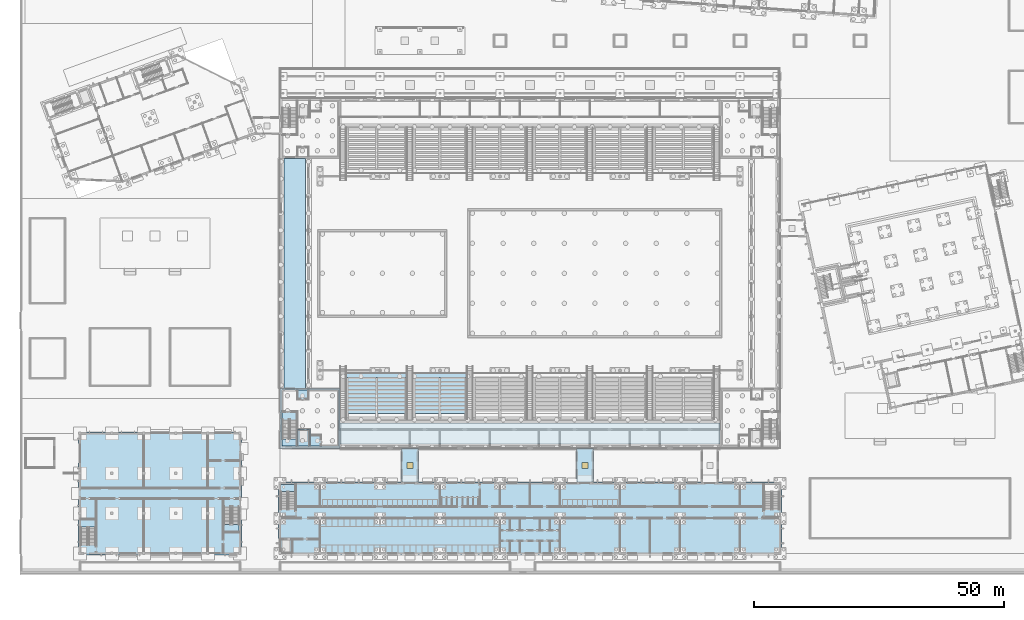
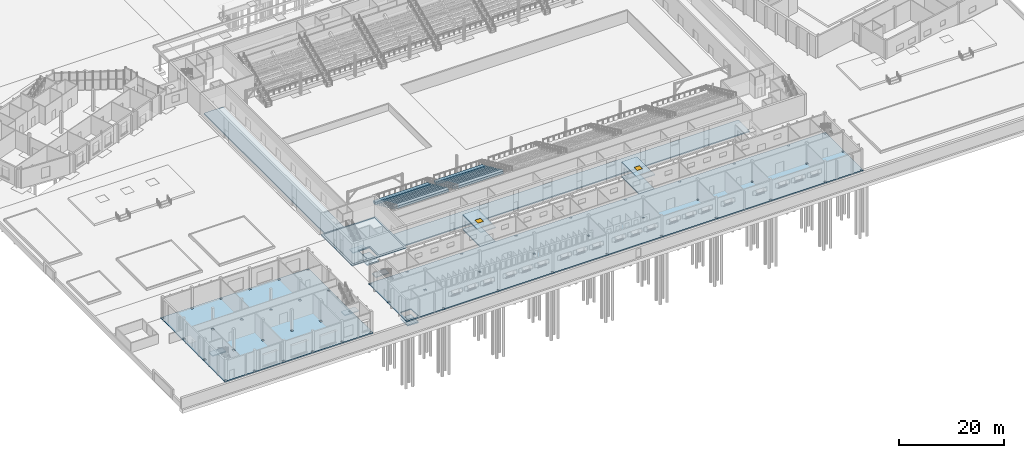
# One storey, part 64 of 157: 36 slabs, 2 windows, 2 openings, 4 elements without a shape of their own.
"""IFC4 building model written with IfcOpenShell, lengths in metres."""

import ifcopenshell
import ifcopenshell.guid

model = None  # the IFC model being written
_history = None  # IfcOwnerHistory: only IFC2X3 demands one
_inside = {}  # id of a spatial element -> (the spatial element, [elements in it])
_under = {}  # id of a project, library or spatial element -> (it, [spatial elements below it])
_declared = {}  # id of a project -> (the project, [libraries it declares])
_typed = {}  # id of a type object -> (the type object, [elements of that type])
_made_of = {}  # id of a material, layer set ... -> (it, [elements and type objects made of it])


def new_model(schema):
    """Start an empty IFC model of exactly this schema.

    Asked for "IFC4X3", IfcOpenShell would pick the latest addendum, in which some entities
    have other attributes; the version numbers below select the first issue.
    IFC2X3 requires an IfcOwnerHistory on every rooted entity: one is made here for all.
    """
    global model, _history
    if schema == "IFC4X3":
        model = ifcopenshell.file(schema_version=(4, 3, 0, 0))
    else:
        model = ifcopenshell.file(schema=schema)
    _inside.clear()
    _under.clear()
    _declared.clear()
    _typed.clear()
    _made_of.clear()
    _history = None
    if model.schema == "IFC2X3":
        org = make("IfcOrganization", Name="unknown")
        user = make(
            "IfcPersonAndOrganization",
            ThePerson=make("IfcPerson", FamilyName="unknown"),
            TheOrganization=org,
        )
        app = make(
            "IfcApplication",
            ApplicationDeveloper=org,
            Version="unknown",
            ApplicationFullName="unknown",
            ApplicationIdentifier="unknown",
        )
        _history = make(
            "IfcOwnerHistory",
            OwningUser=user,
            OwningApplication=app,
            ChangeAction="ADDED",
            CreationDate=0,
        )
    return model


def make(cls, **values):
    """One entity of the class cls with the attributes given. An attribute that is None is left unset."""
    return model.create_entity(
        cls, **{name: value for name, value in values.items() if value is not None}
    )


def rooted(cls, **values):
    """An entity with a GlobalId (a new one), such as an element, a storey or a relation."""
    return make(cls, GlobalId=ifcopenshell.guid.new(), OwnerHistory=_history, **values)


def si_unit(unit_type, name, prefix=None):
    """IfcSIUnit, for example si_unit("LENGTHUNIT", "METRE", prefix="MILLI")."""
    return make("IfcSIUnit", UnitType=unit_type, Prefix=prefix, Name=name)


def assignment(units):
    """IfcUnitAssignment: the units of a project."""
    return None if units is None else make("IfcUnitAssignment", Units=units)


def point(xyz):
    """IfcCartesianPoint."""
    return None if xyz is None else make("IfcCartesianPoint", Coordinates=xyz)


def direction(xyz):
    """IfcDirection."""
    return None if xyz is None else make("IfcDirection", DirectionRatios=xyz)


def frame(location, z_axis=None, x_axis=None):
    """IfcAxis2Placement3D, a coordinate frame: its origin and axes. An axis left out is left unset."""
    return make(
        "IfcAxis2Placement3D",
        Location=point(location),
        Axis=direction(z_axis),
        RefDirection=direction(x_axis),
    )


def frame_2d(location, x_axis=None):
    """IfcAxis2Placement2D, a coordinate frame in the plane: its origin and x axis."""
    return make(
        "IfcAxis2Placement2D", Location=point(location), RefDirection=direction(x_axis)
    )


def origin():
    """The frame at (0, 0, 0) with its axes left unset."""
    return frame((0.0, 0.0, 0.0))


def origin_2d():
    """The frame at (0, 0) in the plane with its x axis left unset."""
    return frame_2d((0.0, 0.0))


def place(relative_to, where):
    """IfcLocalPlacement: puts the frame where relative to a parent placement (None: the world)."""
    return make(
        "IfcLocalPlacement", PlacementRelTo=relative_to, RelativePlacement=where
    )


def context(
    kind, dimensions, precision=None, world=None, true_north=None, identifier=None
):
    """IfcGeometricRepresentationContext, for example the 3D "Model" context."""
    return make(
        "IfcGeometricRepresentationContext",
        ContextIdentifier=identifier,
        ContextType=kind,
        CoordinateSpaceDimension=dimensions,
        Precision=precision,
        WorldCoordinateSystem=world,
        TrueNorth=true_north,
    )


def subcontext(parent, identifier, kind, view, scale=None):
    """IfcGeometricRepresentationSubContext, for example "Body" below "Model"."""
    return make(
        "IfcGeometricRepresentationSubContext",
        ContextIdentifier=identifier,
        ContextType=kind,
        ParentContext=parent,
        TargetScale=scale,
        TargetView=view,
    )


def project(units=None, contexts=None):
    """IfcProject with its units and contexts."""
    return rooted(
        "IfcProject",
        Name="project",
        RepresentationContexts=contexts,
        UnitsInContext=assignment(units),
    )


def spatial(cls, under=None, at=None, **own):
    """A site, building, storey or space (cls), placed at a placement, below another one or the project."""
    s = rooted(cls, ObjectPlacement=at, **own)
    if under is not None:
        _under.setdefault(under.id(), (under, []))[1].append(s)
    return s


def polyline(points):
    """IfcPolyline through the points."""
    return make("IfcPolyline", Points=[point(p) for p in points])


def profile(cls, at=None, kind="AREA", **sizes):
    """A parametric profile (cls). Its sizes go by their IFC names, for example OverallWidth=200.0."""
    return make(cls, ProfileType=kind, Position=at, **sizes)


def rectangle(**sizes):
    """IfcRectangleProfileDef."""
    return profile("IfcRectangleProfileDef", **sizes)


def outline(outer, holes=None, kind="AREA"):
    """IfcArbitraryClosedProfileDef: a profile drawn as a closed curve; with holes, ...WithVoids."""
    if holes is None:
        return make("IfcArbitraryClosedProfileDef", ProfileType=kind, OuterCurve=outer)
    return make(
        "IfcArbitraryProfileDefWithVoids",
        ProfileType=kind,
        OuterCurve=outer,
        InnerCurves=holes,
    )


def extrude(swept, where, along, depth):
    """IfcExtrudedAreaSolid: the profile swept, set in the frame where, extruded along a direction by depth."""
    return make(
        "IfcExtrudedAreaSolid",
        SweptArea=swept,
        Position=where,
        ExtrudedDirection=direction(along),
        Depth=depth,
    )


def shape(context_of_items, identifier, shape_type, items):
    """IfcShapeRepresentation: the items that make up one representation, for example the "Body"."""
    return make(
        "IfcShapeRepresentation",
        ContextOfItems=context_of_items,
        RepresentationIdentifier=identifier,
        RepresentationType=shape_type,
        Items=items,
    )


def material(Name=None, Category=None):
    """IfcMaterial."""
    return make("IfcMaterial", Name=Name, Category=Category)


def layer(
    of_material, thickness, ventilated=None, Name=None, Category=None, Priority=None
):
    """IfcMaterialLayer: one layer of a wall or slab, of a material (None: an air gap)."""
    return make(
        "IfcMaterialLayer",
        Material=of_material,
        LayerThickness=thickness,
        IsVentilated=ventilated,
        Name=Name,
        Category=Category,
        Priority=Priority,
    )


def layer_set(layers, Name=None):
    """IfcMaterialLayerSet."""
    return make("IfcMaterialLayerSet", MaterialLayers=layers, LayerSetName=Name)


def made_of(thing, what):
    """Note that an element or type object is made of a material, layer set ...; save() writes the relation."""
    if what is not None:
        _made_of.setdefault(what.id(), (what, []))[1].append(thing)
    return thing


def type_object(cls, material=None, **own):
    """A type object (cls), such as IfcWallType, which elements share."""
    return made_of(rooted(cls, **own), material)


def element(
    cls,
    number,
    at=None,
    inside=None,
    cuts=None,
    type_object=None,
    material=None,
    context=None,
    identifier="Body",
    shape_type=None,
    held_by="IfcProductDefinitionShape",
    body=None,
    shapes=None,
    **own,
):
    """One element of the class cls, such as IfcWall. Its Tag is "e" and its number.

    at: its placement. inside: the storey or other place that contains it. cuts: it is an
    opening in that element (IfcRelVoidsElement). A single representation is given by context,
    identifier, shape_type and body (its items); several are given by shapes. held_by: the class
    of the entity that holds the representations. save() writes the other relations.
    """
    e = rooted(cls, Tag="e%d" % number, ObjectPlacement=at, **own)
    if body is not None:
        shapes = [shape(context, identifier, shape_type, body)]
    if shapes is not None:
        e.Representation = make(held_by, Representations=shapes)
    if inside is not None:
        _inside.setdefault(inside.id(), (inside, []))[1].append(e)
    if cuts is not None:
        rooted(
            "IfcRelVoidsElement", RelatingBuildingElement=cuts, RelatedOpeningElement=e
        )
    if type_object is not None:
        _typed.setdefault(type_object.id(), (type_object, []))[1].append(e)
    return made_of(e, material)


def fill(opening, filler):
    """IfcRelFillsElement: the door or window that sits in an opening."""
    return rooted(
        "IfcRelFillsElement",
        RelatingOpeningElement=opening,
        RelatedBuildingElement=filler,
    )


def aggregate(whole, parts):
    """IfcRelAggregates: a whole, such as a stair, and the parts it consists of."""
    return rooted("IfcRelAggregates", RelatingObject=whole, RelatedObjects=parts)


def save(model, path):
    """Write the relations noted so far, then the file.

    IfcRelAggregates (storeys below a building ...), IfcRelContainedInSpatialStructure (elements
    in a storey), IfcRelDefinesByType, IfcRelAssociatesMaterial and IfcRelDeclares: one each for
    every whole, place, type object, material and project.
    """
    for whole, parts in _under.values():
        aggregate(whole, parts)
    for where, things in _inside.values():
        rooted(
            "IfcRelContainedInSpatialStructure",
            RelatedElements=things,
            RelatingStructure=where,
        )
    for kind, things in _typed.values():
        rooted("IfcRelDefinesByType", RelatedObjects=things, RelatingType=kind)
    for what, things in _made_of.values():
        rooted("IfcRelAssociatesMaterial", RelatedObjects=things, RelatingMaterial=what)
    for by, libraries in _declared.values():
        rooted("IfcRelDeclares", RelatingContext=by, RelatedDefinitions=libraries)
    model.write(path)


model = new_model("IFC4")

# Units and contexts
model_context = context("Model", 3, precision=1e-05, world=origin(), true_north=direction((0.0, 1.0)))
body_context = subcontext(model_context, "Body", "Model", "MODEL_VIEW")
ifc_project = project(units=[si_unit("LENGTHUNIT", "METRE"), si_unit("AREAUNIT", "SQUARE_METRE"), si_unit("VOLUMEUNIT", "CUBIC_METRE"), si_unit("PLANEANGLEUNIT", "RADIAN"), si_unit("MASSUNIT", "GRAM", prefix="KILO")], contexts=[model_context])

# Site, building, storey
site_placement = place(None, origin())
site = spatial("IfcSite", under=ifc_project, at=site_placement, CompositionType="ELEMENT")
building_placement = place(site_placement, origin())
building = spatial("IfcBuilding", under=site, at=building_placement, Name="Windward Yard Aquatics Centre", CompositionType="ELEMENT")
storey_placement = place(building_placement, origin())
storey = spatial("IfcBuildingStorey", under=building, at=storey_placement, Name="L00", CompositionType="ELEMENT", Elevation=0.0)

# Stair, slab
ifc_material_1 = material(Name="Concrete C35/45", Category="concrete")
stair_type_1 = type_object("IfcStairType", Name="C Village stair 1 dog-leg stair", PredefinedType="HALF_TURN_STAIR", material=ifc_material_1)
stair_1_placement = place(storey_placement, origin())
stair_1 = element("IfcStair", 1, at=stair_1_placement, inside=storey, type_object=stair_type_1, Name="L00 Village stair 1", PredefinedType="HALF_TURN_STAIR")
ifc_layer_1 = layer(ifc_material_1, 0.199951171875)
ifc_layer_set_1 = layer_set([ifc_layer_1], Name="C Village stair 1 stair landing 200")
slab_type_1 = type_object("IfcSlabType", Name="C Village stair 1 stair landing 200", PredefinedType="LANDING", material=ifc_layer_set_1)
slab_1_placement = place(storey_placement, frame((0.0, 0.0, 2.300048828125)))
slab_1 = element("IfcSlab", 2, at=slab_1_placement, type_object=slab_type_1, Name="C-ST1 landing 1", PredefinedType="LANDING", context=body_context, shape_type="SweptSolid", body=[
    extrude(outline(polyline([(52.14990234375, 17.330078125), (55.10009765625, 17.330078125), (55.10009765625, 18.800048828125), (52.14990234375, 18.800048828125), (52.14990234375, 17.330078125)])), origin(), (0.0, 0.0, 1.0), 0.199951171875),
])
aggregate(stair_1, [slab_1])

# Slabs
ifc_layer_2 = layer(ifc_material_1, 0.25)
ifc_layer_set_2 = layer_set([ifc_layer_2], Name="C ground slab 250")
slab_type_2 = type_object("IfcSlabType", Name="C ground slab 250", PredefinedType="BASESLAB", material=ifc_layer_set_2)
slab_2_placement = place(storey_placement, frame((0.0, 0.0, -0.25)))
element("IfcSlab", 3, at=slab_2_placement, inside=storey, type_object=slab_type_2, Name="C.S.GROUND", PredefinedType="BASESLAB", context=body_context, shape_type="SweptSolid", body=[
    extrude(outline(polyline([(51.72509765625, 4.72509765625), (152.27490234375, 4.72509765625), (152.27490234375, 19.27490234375), (51.72509765625, 19.27490234375), (51.72509765625, 4.72509765625)]), holes=[polyline([(51.77490234375, 4.77490234375), (51.77490234375, 5.22509765625), (52.14990234375, 5.22509765625), (52.14990234375, 7.949951171875), (54.550048828125, 7.949951171875), (54.550048828125, 5.14990234375), (52.22509765625, 5.14990234375), (52.22509765625, 4.77490234375), (51.77490234375, 4.77490234375)]), polyline([(59.77490234375, 4.77490234375), (59.77490234375, 5.22509765625), (60.22509765625, 5.22509765625), (60.22509765625, 4.77490234375), (59.77490234375, 4.77490234375)]), polyline([(71.77490234375, 4.77490234375), (71.77490234375, 5.22509765625), (72.22509765625, 5.22509765625), (72.22509765625, 4.77490234375), (71.77490234375, 4.77490234375)]), polyline([(83.77490234375, 4.77490234375), (83.77490234375, 5.22509765625), (84.22509765625, 5.22509765625), (84.22509765625, 4.77490234375), (83.77490234375, 4.77490234375)]), polyline([(95.77490234375, 4.77490234375), (95.77490234375, 5.22509765625), (96.22509765625, 5.22509765625), (96.22509765625, 4.77490234375), (95.77490234375, 4.77490234375)]), polyline([(51.77490234375, 11.77490234375), (51.77490234375, 12.22509765625), (52.22509765625, 12.22509765625), (52.22509765625, 11.77490234375), (51.77490234375, 11.77490234375)]), polyline([(59.77490234375, 11.77490234375), (59.77490234375, 12.22509765625), (60.22509765625, 12.22509765625), (60.22509765625, 11.77490234375), (59.77490234375, 11.77490234375)]), polyline([(71.77490234375, 11.77490234375), (71.77490234375, 12.22509765625), (72.22509765625, 12.22509765625), (72.22509765625, 11.77490234375), (71.77490234375, 11.77490234375)]), polyline([(83.77490234375, 11.77490234375), (83.77490234375, 12.22509765625), (84.22509765625, 12.22509765625), (84.22509765625, 11.77490234375), (83.77490234375, 11.77490234375)]), polyline([(95.77490234375, 11.77490234375), (95.77490234375, 12.22509765625), (96.22509765625, 12.22509765625), (96.22509765625, 11.77490234375), (95.77490234375, 11.77490234375)]), polyline([(51.77490234375, 18.77490234375), (51.77490234375, 19.22509765625), (52.22509765625, 19.22509765625), (52.22509765625, 18.77490234375), (51.77490234375, 18.77490234375)]), polyline([(59.77490234375, 18.77490234375), (59.77490234375, 19.22509765625), (60.22509765625, 19.22509765625), (60.22509765625, 18.77490234375), (59.77490234375, 18.77490234375)]), polyline([(71.77490234375, 18.77490234375), (71.77490234375, 19.22509765625), (72.22509765625, 19.22509765625), (72.22509765625, 18.77490234375), (71.77490234375, 18.77490234375)]), polyline([(83.77490234375, 18.77490234375), (83.77490234375, 19.22509765625), (84.22509765625, 19.22509765625), (84.22509765625, 18.77490234375), (83.77490234375, 18.77490234375)]), polyline([(95.77490234375, 18.77490234375), (95.77490234375, 19.22509765625), (96.22509765625, 19.22509765625), (96.22509765625, 18.77490234375), (95.77490234375, 18.77490234375)]), polyline([(107.77490234375, 4.77490234375), (107.77490234375, 5.22509765625), (108.22509765625, 5.22509765625), (108.22509765625, 4.77490234375), (107.77490234375, 4.77490234375)]), polyline([(119.77490234375, 4.77490234375), (119.77490234375, 5.22509765625), (120.22509765625, 5.22509765625), (120.22509765625, 4.77490234375), (119.77490234375, 4.77490234375)]), polyline([(131.77490234375, 4.77490234375), (131.77490234375, 5.22509765625), (132.22509765625, 5.22509765625), (132.22509765625, 4.77490234375), (131.77490234375, 4.77490234375)]), polyline([(143.77490234375, 4.77490234375), (143.77490234375, 5.22509765625), (144.22509765625, 5.22509765625), (144.22509765625, 4.77490234375), (143.77490234375, 4.77490234375)]), polyline([(151.77490234375, 4.77490234375), (151.77490234375, 5.22509765625), (152.22509765625, 5.22509765625), (152.22509765625, 4.77490234375), (151.77490234375, 4.77490234375)]), polyline([(107.77490234375, 11.77490234375), (107.77490234375, 12.22509765625), (108.22509765625, 12.22509765625), (108.22509765625, 11.77490234375), (107.77490234375, 11.77490234375)]), polyline([(119.77490234375, 11.77490234375), (119.77490234375, 12.22509765625), (120.22509765625, 12.22509765625), (120.22509765625, 11.77490234375), (119.77490234375, 11.77490234375)]), polyline([(131.77490234375, 11.77490234375), (131.77490234375, 12.22509765625), (132.22509765625, 12.22509765625), (132.22509765625, 11.77490234375), (131.77490234375, 11.77490234375)]), polyline([(143.77490234375, 11.77490234375), (143.77490234375, 12.22509765625), (144.22509765625, 12.22509765625), (144.22509765625, 11.77490234375), (143.77490234375, 11.77490234375)]), polyline([(151.77490234375, 11.77490234375), (151.77490234375, 12.22509765625), (152.22509765625, 12.22509765625), (152.22509765625, 11.77490234375), (151.77490234375, 11.77490234375)]), polyline([(107.77490234375, 18.77490234375), (107.77490234375, 19.22509765625), (108.22509765625, 19.22509765625), (108.22509765625, 18.77490234375), (107.77490234375, 18.77490234375)]), polyline([(119.77490234375, 18.77490234375), (119.77490234375, 19.22509765625), (120.22509765625, 19.22509765625), (120.22509765625, 18.77490234375), (119.77490234375, 18.77490234375)]), polyline([(131.77490234375, 18.77490234375), (131.77490234375, 19.22509765625), (132.22509765625, 19.22509765625), (132.22509765625, 18.77490234375), (131.77490234375, 18.77490234375)]), polyline([(143.77490234375, 18.77490234375), (143.77490234375, 19.22509765625), (144.22509765625, 19.22509765625), (144.22509765625, 18.77490234375), (143.77490234375, 18.77490234375)]), polyline([(151.77490234375, 18.77490234375), (151.77490234375, 19.22509765625), (152.22509765625, 19.22509765625), (152.22509765625, 18.77490234375), (151.77490234375, 18.77490234375)])]), origin(), (0.0, 0.0, 1.0), 0.25),
])
ifc_layer_3 = layer(ifc_material_1, 0.300048828125)
ifc_layer_set_3 = layer_set([ifc_layer_3], Name="C lift pit floor 300")
slab_type_3 = type_object("IfcSlabType", Name="C lift pit floor 300", PredefinedType="BASESLAB", material=ifc_layer_set_3)
slab_3_placement = place(storey_placement, frame((0.0, 0.0, -1.60009765625)))
element("IfcSlab", 4, at=slab_3_placement, inside=storey, type_object=slab_type_3, Name="C.S.PIT", PredefinedType="BASESLAB", context=body_context, shape_type="SweptSolid", body=[
    extrude(outline(polyline([(52.14990234375, 5.14990234375), (54.550048828125, 5.14990234375), (54.550048828125, 7.949951171875), (52.14990234375, 7.949951171875), (52.14990234375, 5.14990234375)])), origin(), (0.0, 0.0, 1.0), 0.300048828125),
])
ifc_layer_4 = layer(ifc_material_1, 0.25)
ifc_layer_set_4 = layer_set([ifc_layer_4], Name="C link ground slab 250")
slab_type_4 = type_object("IfcSlabType", Name="C link ground slab 250", PredefinedType="BASESLAB", material=ifc_layer_set_4)
slab_4_placement = place(storey_placement, frame((0.0, 0.0, -0.25)))
element("IfcSlab", 5, at=slab_4_placement, inside=storey, type_object=slab_type_4, Name="Covered changing village link 1 floor", PredefinedType="BASESLAB", context=body_context, shape_type="SweptSolid", body=[
    extrude(outline(polyline([(76.300048828125, 19.27490234375), (76.300048828125, 26.0), (79.699951171875, 26.0), (79.699951171875, 19.27490234375), (76.300048828125, 19.27490234375)])), origin(), (0.0, 0.0, 1.0), 0.25),
])
slab_5_placement = place(storey_placement, frame((0.0, 0.0, -0.25)))
element("IfcSlab", 6, at=slab_5_placement, inside=storey, type_object=slab_type_4, Name="Covered changing village link 2 floor", PredefinedType="BASESLAB", context=body_context, shape_type="SweptSolid", body=[
    extrude(outline(polyline([(111.300048828125, 19.27490234375), (111.300048828125, 26.0), (114.699951171875, 26.0), (114.699951171875, 19.27490234375), (111.300048828125, 19.27490234375)])), origin(), (0.0, 0.0, 1.0), 0.25),
])

# Slab, opening, window
ifc_layer_5 = layer(ifc_material_1, 0.199951171875)
ifc_layer_set_5 = layer_set([ifc_layer_5], Name="C link roof slab 200")
slab_type_5 = type_object("IfcSlabType", Name="C link roof slab 200", PredefinedType="ROOF", material=ifc_layer_set_5)
slab_6_placement = place(storey_placement, frame((0.0, 0.0, 3.199951171875)))
slab_6 = element("IfcSlab", 7, at=slab_6_placement, inside=storey, type_object=slab_type_5, Name="Covered changing village link 1 roof", PredefinedType="ROOF", context=body_context, shape_type="SweptSolid", body=[
    extrude(outline(polyline([(76.300048828125, 19.14990234375), (76.300048828125, 26.0), (79.699951171875, 26.0), (79.699951171875, 19.14990234375), (76.300048828125, 19.14990234375)])), origin(), (0.0, 0.0, 1.0), 0.199951171875),
])
opening_1_placement = place(slab_6_placement, frame((78.0, 22.574951171875, 0.0)))
opening_1 = element("IfcOpeningElement", 8, at=opening_1_placement, cuts=slab_6, Name="Opening CSK01", PredefinedType="OPENING", context=body_context, shape_type="SweptSolid", body=[
    extrude(rectangle(XDim=1.199951171875, YDim=1.199951171875, at=origin_2d()), origin(), (0.0, 0.0, 1.0), 0.199951171875),
])
ifc_material_2 = material(Name="Aluminium framed laminated glazing", Category="aluminium")
window_type = type_object("IfcWindowType", Name="C skylight 1200X1200", PartitioningType="SINGLE_PANEL", PredefinedType="SKYLIGHT", material=ifc_material_2)
window_1_placement = place(opening_1_placement, frame((0.0, 0.0, 0.14990234375)))
window_1 = element("IfcWindow", 9, at=window_1_placement, inside=storey, type_object=window_type, Name="Roof light 1 of the covered changing village link 1", OverallHeight=1.199951171875, OverallWidth=1.199951171875, PartitioningType="SINGLE_PANEL", PredefinedType="SKYLIGHT", context=body_context, shape_type="SweptSolid", body=[
    extrude(rectangle(XDim=1.199951171875, YDim=1.199951171875, at=origin_2d()), origin(), (0.0, 0.0, 1.0), 0.050048828125),
])
fill(opening_1, window_1)

slab_7_placement = place(storey_placement, frame((0.0, 0.0, 3.199951171875)))
slab_7 = element("IfcSlab", 10, at=slab_7_placement, inside=storey, type_object=slab_type_5, Name="Covered changing village link 2 roof", PredefinedType="ROOF", context=body_context, shape_type="SweptSolid", body=[
    extrude(outline(polyline([(111.300048828125, 19.14990234375), (111.300048828125, 26.0), (114.699951171875, 26.0), (114.699951171875, 19.14990234375), (111.300048828125, 19.14990234375)])), origin(), (0.0, 0.0, 1.0), 0.199951171875),
])
opening_2_placement = place(slab_7_placement, frame((113.0, 22.574951171875, 0.0)))
opening_2 = element("IfcOpeningElement", 11, at=opening_2_placement, cuts=slab_7, Name="Opening CSK02", PredefinedType="OPENING", context=body_context, shape_type="SweptSolid", body=[
    extrude(rectangle(XDim=1.199951171875, YDim=1.199951171875, at=origin_2d()), origin(), (0.0, 0.0, 1.0), 0.199951171875),
])
window_2_placement = place(opening_2_placement, frame((0.0, 0.0, 0.14990234375)))
window_2 = element("IfcWindow", 12, at=window_2_placement, inside=storey, type_object=window_type, Name="Roof light 1 of the covered changing village link 2", OverallHeight=1.199951171875, OverallWidth=1.199951171875, PartitioningType="SINGLE_PANEL", PredefinedType="SKYLIGHT", context=body_context, shape_type="SweptSolid", body=[
    extrude(rectangle(XDim=1.199951171875, YDim=1.199951171875, at=origin_2d()), origin(), (0.0, 0.0, 1.0), 0.050048828125),
])
fill(opening_2, window_2)

# Slabs
ifc_layer_6 = layer(ifc_material_1, 0.25)
ifc_layer_set_6 = layer_set([ifc_layer_6], Name="H Core Ground Slab Concrete C35/45 250")
slab_type_6 = type_object("IfcSlabType", Name="H Core Ground Slab Concrete C35/45 250", PredefinedType="BASESLAB", material=ifc_layer_set_6)
slab_8_placement = place(storey_placement, frame((0.0, 0.0, -0.25)))
element("IfcSlab", 13, at=slab_8_placement, inside=storey, type_object=slab_type_6, Name="L00 core floor SW", PredefinedType="BASESLAB", context=body_context, shape_type="SweptSolid", body=[
    extrude(outline(polyline([(52.449951171875, 26.449951171875), (55.5, 26.449951171875), (55.5, 29.85009765625), (58.10009765625, 29.85009765625), (58.10009765625, 26.449951171875), (63.699951171875, 26.449951171875), (63.699951171875, 37.699951171875), (52.449951171875, 37.699951171875), (52.449951171875, 26.449951171875)])), origin(), (0.0, 0.0, 1.0), 0.25),
])
ifc_layer_7 = layer(ifc_material_1, 0.300048828125)
ifc_layer_set_7 = layer_set([ifc_layer_7], Name="H Lift Pit Slab Concrete C35/45 300")
slab_type_7 = type_object("IfcSlabType", Name="H Lift Pit Slab Concrete C35/45 300", PredefinedType="BASESLAB", material=ifc_layer_set_7)
slab_9_placement = place(storey_placement, frame((0.0, 0.0, -1.60009765625)))
element("IfcSlab", 14, at=slab_9_placement, inside=storey, type_object=slab_type_7, Name="Lift pit slab SW", PredefinedType="BASESLAB", context=body_context, shape_type="SweptSolid", body=[
    extrude(outline(polyline([(55.5, 26.449951171875), (58.10009765625, 26.449951171875), (58.10009765625, 29.85009765625), (55.5, 29.85009765625), (55.5, 26.449951171875)])), origin(), (0.0, 0.0, 1.0), 0.300048828125),
])

# Stair, slab
stair_type_2 = type_object("IfcStairType", Name="H Core Stair Concrete C35/45 1400", PredefinedType="HALF_TURN_STAIR", material=ifc_material_1)
stair_2_placement = place(storey_placement, origin())
stair_2 = element("IfcStair", 15, at=stair_2_placement, inside=storey, type_object=stair_type_2, Name="L00 Stair SW", PredefinedType="HALF_TURN_STAIR")
ifc_layer_8 = layer(ifc_material_1, 0.199951171875)
ifc_layer_set_8 = layer_set([ifc_layer_8], Name="H Stair Landing Concrete C35/45 200")
slab_type_8 = type_object("IfcSlabType", Name="H Stair Landing Concrete C35/45 200", PredefinedType="LANDING", material=ifc_layer_set_8)
slab_10_placement = place(storey_placement, frame((0.0, 0.0, 2.300048828125)))
slab_10 = element("IfcSlab", 16, at=slab_10_placement, type_object=slab_type_8, Name="ST1 landing 1", PredefinedType="LANDING", context=body_context, shape_type="SweptSolid", body=[
    extrude(outline(polyline([(52.449951171875, 26.449951171875), (55.39990234375, 26.449951171875), (55.39990234375, 27.8798828125), (52.449951171875, 27.8798828125), (52.449951171875, 26.449951171875)])), origin(), (0.0, 0.0, 1.0), 0.199951171875),
])
aggregate(stair_2, [slab_10])

# Slabs
ifc_layer_9 = layer(ifc_material_1, 0.25)
ifc_layer_set_9 = layer_set([ifc_layer_9], Name="H ground slab 250 C35/45")
slab_type_9 = type_object("IfcSlabType", Name="H ground slab 250 C35/45", PredefinedType="BASESLAB", material=ifc_layer_set_9)
slab_11_placement = place(storey_placement, frame((0.0, 0.0, -0.25)))
element("IfcSlab", 17, at=slab_11_placement, inside=storey, type_object=slab_type_9, Name="H.GS.01", PredefinedType="BASESLAB", context=body_context, shape_type="SweptSolid", body=[
    extrude(outline(polyline([(64.0, 26.824951171875), (64.0, 31.109619140625), (140.0, 31.109619140625), (140.0, 26.824951171875), (64.0, 26.824951171875)])), origin(), (0.0, 0.0, 1.0), 0.25),
])
slab_12_placement = place(storey_placement, frame((0.0, 0.0, -0.25)))
element("IfcSlab", 18, at=slab_12_placement, inside=storey, type_object=slab_type_9, Name="H.GS.03", PredefinedType="BASESLAB", context=body_context, shape_type="SweptSolid", body=[
    extrude(outline(polyline([(52.824951171875, 38.0), (52.824951171875, 84.0), (57.109619140625, 84.0), (57.109619140625, 38.0), (52.824951171875, 38.0)])), origin(), (0.0, 0.0, 1.0), 0.25),
])
slab_13_placement = place(storey_placement, frame((0.0, 0.0, -0.25)))
element("IfcSlab", 19, at=slab_13_placement, inside=storey, type_object=slab_type_9, Name="H.GS.C.SW.1", PredefinedType="BASESLAB", context=body_context, shape_type="SweptSolid", body=[
    extrude(outline(polyline([(52.0, 26.0), (52.0, 38.0), (64.0, 38.0), (64.0, 26.0), (52.0, 26.0)]), holes=[polyline([(52.449951171875, 26.449951171875), (55.5, 26.449951171875), (55.5, 29.85009765625), (58.10009765625, 29.85009765625), (58.10009765625, 26.449951171875), (63.699951171875, 26.449951171875), (63.699951171875, 37.699951171875), (52.449951171875, 37.699951171875), (52.449951171875, 26.449951171875)]), polyline([(55.60009765625, 26.449951171875), (57.89990234375, 26.449951171875), (57.89990234375, 29.64990234375), (55.60009765625, 29.64990234375), (55.60009765625, 26.449951171875)])]), origin(), (0.0, 0.0, 1.0), 0.25),
])
ifc_layer_10 = layer(ifc_material_1, 0.5400390625)
ifc_layer_set_10 = layer_set([ifc_layer_10], Name="H seating unit 540 C35/45")
slab_type_10 = type_object("IfcSlabType", Name="H seating unit 540 C35/45", PredefinedType="USERDEFINED", material=ifc_layer_set_10)
slab_14_placement = place(storey_placement, frame((0.0, 0.0, 0.860107421875)))
element("IfcSlab", 20, at=slab_14_placement, inside=storey, type_object=slab_type_10, Name="H.ST.S.1.R01", ObjectType="SEATING UNIT", PredefinedType="USERDEFINED", context=body_context, shape_type="SweptSolid", body=[
    extrude(outline(polyline([(65.25, 40.199951171875), (77.375, 40.199951171875), (77.375, 41.0), (65.25, 41.0), (65.25, 40.199951171875)])), origin(), (0.0, 0.0, 1.0), 0.539794921875),
])
slab_15_placement = place(storey_placement, frame((0.0, 0.0, 1.219970703125)))
element("IfcSlab", 21, at=slab_15_placement, inside=storey, type_object=slab_type_10, Name="H.ST.S.1.R02", ObjectType="SEATING UNIT", PredefinedType="USERDEFINED", context=body_context, shape_type="SweptSolid", body=[
    extrude(outline(polyline([(65.25, 39.39990234375), (77.375, 39.39990234375), (77.375, 40.199951171875), (65.25, 40.199951171875), (65.25, 39.39990234375)])), origin(), (0.0, 0.0, 1.0), 0.5400390625),
])
slab_16_placement = place(storey_placement, frame((0.0, 0.0, 1.580078125)))
element("IfcSlab", 22, at=slab_16_placement, inside=storey, type_object=slab_type_10, Name="H.ST.S.1.R03", ObjectType="SEATING UNIT", PredefinedType="USERDEFINED", context=body_context, shape_type="SweptSolid", body=[
    extrude(outline(polyline([(65.25, 38.60009765625), (77.375, 38.60009765625), (77.375, 39.39990234375), (65.25, 39.39990234375), (65.25, 38.60009765625)])), origin(), (0.0, 0.0, 1.0), 0.5400390625),
])
slab_17_placement = place(storey_placement, frame((0.0, 0.0, 1.93994140625)))
element("IfcSlab", 23, at=slab_17_placement, inside=storey, type_object=slab_type_10, Name="H.ST.S.1.R04", ObjectType="SEATING UNIT", PredefinedType="USERDEFINED", context=body_context, shape_type="SweptSolid", body=[
    extrude(outline(polyline([(65.25, 37.800048828125), (77.375, 37.800048828125), (77.375, 38.60009765625), (65.25, 38.60009765625), (65.25, 37.800048828125)])), origin(), (0.0, 0.0, 1.0), 0.5400390625),
])
slab_18_placement = place(storey_placement, frame((0.0, 0.0, 2.300048828125)))
element("IfcSlab", 24, at=slab_18_placement, inside=storey, type_object=slab_type_10, Name="H.ST.S.1.R05", ObjectType="SEATING UNIT", PredefinedType="USERDEFINED", context=body_context, shape_type="SweptSolid", body=[
    extrude(outline(polyline([(65.25, 37.0), (77.375, 37.0), (77.375, 37.800048828125), (65.25, 37.800048828125), (65.25, 37.0)])), origin(), (0.0, 0.0, 1.0), 0.5400390625),
])
slab_19_placement = place(storey_placement, frame((0.0, 0.0, 2.659912109375)))
element("IfcSlab", 25, at=slab_19_placement, inside=storey, type_object=slab_type_10, Name="H.ST.S.1.R06", ObjectType="SEATING UNIT", PredefinedType="USERDEFINED", context=body_context, shape_type="SweptSolid", body=[
    extrude(outline(polyline([(65.25, 36.199951171875), (77.375, 36.199951171875), (77.375, 37.0), (65.25, 37.0), (65.25, 36.199951171875)])), origin(), (0.0, 0.0, 1.0), 0.5400390625),
])
slab_20_placement = place(storey_placement, frame((0.0, 0.0, 3.02001953125)))
element("IfcSlab", 26, at=slab_20_placement, inside=storey, type_object=slab_type_10, Name="H.ST.S.1.R07", ObjectType="SEATING UNIT", PredefinedType="USERDEFINED", context=body_context, shape_type="SweptSolid", body=[
    extrude(outline(polyline([(65.25, 35.39990234375), (77.375, 35.39990234375), (77.375, 36.199951171875), (65.25, 36.199951171875), (65.25, 35.39990234375)])), origin(), (0.0, 0.0, 1.0), 0.5400390625),
])
slab_21_placement = place(storey_placement, frame((0.0, 0.0, 3.3798828125)))
element("IfcSlab", 27, at=slab_21_placement, inside=storey, type_object=slab_type_10, Name="H.ST.S.1.R08", ObjectType="SEATING UNIT", PredefinedType="USERDEFINED", context=body_context, shape_type="SweptSolid", body=[
    extrude(outline(polyline([(65.25, 34.60009765625), (77.375, 34.60009765625), (77.375, 35.39990234375), (65.25, 35.39990234375), (65.25, 34.60009765625)])), origin(), (0.0, 0.0, 1.0), 0.5400390625),
])
slab_22_placement = place(storey_placement, frame((0.0, 0.0, 3.739990234375)))
element("IfcSlab", 28, at=slab_22_placement, inside=storey, type_object=slab_type_10, Name="H.ST.S.1.R09", ObjectType="SEATING UNIT", PredefinedType="USERDEFINED", context=body_context, shape_type="SweptSolid", body=[
    extrude(outline(polyline([(65.25, 33.800048828125), (77.375, 33.800048828125), (77.375, 34.60009765625), (65.25, 34.60009765625), (65.25, 33.800048828125)])), origin(), (0.0, 0.0, 1.0), 0.5400390625),
])
slab_23_placement = place(storey_placement, frame((0.0, 0.0, 4.10009765625)))
element("IfcSlab", 29, at=slab_23_placement, inside=storey, type_object=slab_type_10, Name="H.ST.S.1.R10", ObjectType="SEATING UNIT", PredefinedType="USERDEFINED", context=body_context, shape_type="SweptSolid", body=[
    extrude(outline(polyline([(65.25, 33.0), (77.375, 33.0), (77.375, 33.800048828125), (65.25, 33.800048828125), (65.25, 33.0)])), origin(), (0.0, 0.0, 1.0), 0.539794921875),
])
slab_24_placement = place(storey_placement, frame((0.0, 0.0, 0.860107421875)))
element("IfcSlab", 30, at=slab_24_placement, inside=storey, type_object=slab_type_10, Name="H.ST.S.2.R01", ObjectType="SEATING UNIT", PredefinedType="USERDEFINED", context=body_context, shape_type="SweptSolid", body=[
    extrude(outline(polyline([(78.625, 40.199951171875), (89.375, 40.199951171875), (89.375, 41.0), (78.625, 41.0), (78.625, 40.199951171875)])), origin(), (0.0, 0.0, 1.0), 0.539794921875),
])
slab_25_placement = place(storey_placement, frame((0.0, 0.0, 1.219970703125)))
element("IfcSlab", 31, at=slab_25_placement, inside=storey, type_object=slab_type_10, Name="H.ST.S.2.R02", ObjectType="SEATING UNIT", PredefinedType="USERDEFINED", context=body_context, shape_type="SweptSolid", body=[
    extrude(outline(polyline([(78.625, 39.39990234375), (89.375, 39.39990234375), (89.375, 40.199951171875), (78.625, 40.199951171875), (78.625, 39.39990234375)])), origin(), (0.0, 0.0, 1.0), 0.5400390625),
])
slab_26_placement = place(storey_placement, frame((0.0, 0.0, 1.580078125)))
element("IfcSlab", 32, at=slab_26_placement, inside=storey, type_object=slab_type_10, Name="H.ST.S.2.R03", ObjectType="SEATING UNIT", PredefinedType="USERDEFINED", context=body_context, shape_type="SweptSolid", body=[
    extrude(outline(polyline([(78.625, 38.60009765625), (89.375, 38.60009765625), (89.375, 39.39990234375), (78.625, 39.39990234375), (78.625, 38.60009765625)])), origin(), (0.0, 0.0, 1.0), 0.5400390625),
])
slab_27_placement = place(storey_placement, frame((0.0, 0.0, 1.93994140625)))
element("IfcSlab", 33, at=slab_27_placement, inside=storey, type_object=slab_type_10, Name="H.ST.S.2.R04", ObjectType="SEATING UNIT", PredefinedType="USERDEFINED", context=body_context, shape_type="SweptSolid", body=[
    extrude(outline(polyline([(78.625, 37.800048828125), (89.375, 37.800048828125), (89.375, 38.60009765625), (78.625, 38.60009765625), (78.625, 37.800048828125)])), origin(), (0.0, 0.0, 1.0), 0.5400390625),
])
slab_28_placement = place(storey_placement, frame((0.0, 0.0, 2.300048828125)))
element("IfcSlab", 34, at=slab_28_placement, inside=storey, type_object=slab_type_10, Name="H.ST.S.2.R05", ObjectType="SEATING UNIT", PredefinedType="USERDEFINED", context=body_context, shape_type="SweptSolid", body=[
    extrude(outline(polyline([(78.625, 37.0), (89.375, 37.0), (89.375, 37.800048828125), (78.625, 37.800048828125), (78.625, 37.0)])), origin(), (0.0, 0.0, 1.0), 0.5400390625),
])
slab_29_placement = place(storey_placement, frame((0.0, 0.0, 2.659912109375)))
element("IfcSlab", 35, at=slab_29_placement, inside=storey, type_object=slab_type_10, Name="H.ST.S.2.R06", ObjectType="SEATING UNIT", PredefinedType="USERDEFINED", context=body_context, shape_type="SweptSolid", body=[
    extrude(outline(polyline([(78.625, 36.199951171875), (89.375, 36.199951171875), (89.375, 37.0), (78.625, 37.0), (78.625, 36.199951171875)])), origin(), (0.0, 0.0, 1.0), 0.5400390625),
])
slab_30_placement = place(storey_placement, frame((0.0, 0.0, 3.02001953125)))
element("IfcSlab", 36, at=slab_30_placement, inside=storey, type_object=slab_type_10, Name="H.ST.S.2.R07", ObjectType="SEATING UNIT", PredefinedType="USERDEFINED", context=body_context, shape_type="SweptSolid", body=[
    extrude(outline(polyline([(78.625, 35.39990234375), (89.375, 35.39990234375), (89.375, 36.199951171875), (78.625, 36.199951171875), (78.625, 35.39990234375)])), origin(), (0.0, 0.0, 1.0), 0.5400390625),
])
slab_31_placement = place(storey_placement, frame((0.0, 0.0, 3.3798828125)))
element("IfcSlab", 37, at=slab_31_placement, inside=storey, type_object=slab_type_10, Name="H.ST.S.2.R08", ObjectType="SEATING UNIT", PredefinedType="USERDEFINED", context=body_context, shape_type="SweptSolid", body=[
    extrude(outline(polyline([(78.625, 34.60009765625), (89.375, 34.60009765625), (89.375, 35.39990234375), (78.625, 35.39990234375), (78.625, 34.60009765625)])), origin(), (0.0, 0.0, 1.0), 0.5400390625),
])
slab_32_placement = place(storey_placement, frame((0.0, 0.0, 3.739990234375)))
element("IfcSlab", 38, at=slab_32_placement, inside=storey, type_object=slab_type_10, Name="H.ST.S.2.R09", ObjectType="SEATING UNIT", PredefinedType="USERDEFINED", context=body_context, shape_type="SweptSolid", body=[
    extrude(outline(polyline([(78.625, 33.800048828125), (89.375, 33.800048828125), (89.375, 34.60009765625), (78.625, 34.60009765625), (78.625, 33.800048828125)])), origin(), (0.0, 0.0, 1.0), 0.5400390625),
])
slab_33_placement = place(storey_placement, frame((0.0, 0.0, 4.10009765625)))
element("IfcSlab", 39, at=slab_33_placement, inside=storey, type_object=slab_type_10, Name="H.ST.S.2.R10", ObjectType="SEATING UNIT", PredefinedType="USERDEFINED", context=body_context, shape_type="SweptSolid", body=[
    extrude(outline(polyline([(78.625, 33.0), (89.375, 33.0), (89.375, 33.800048828125), (78.625, 33.800048828125), (78.625, 33.0)])), origin(), (0.0, 0.0, 1.0), 0.539794921875),
])

# Stair, slab
stair_type_3 = type_object("IfcStairType", Name="P Plant stair 1 dog-leg stair", PredefinedType="HALF_TURN_STAIR", material=ifc_material_1)
stair_3_placement = place(storey_placement, origin())
stair_3 = element("IfcStair", 40, at=stair_3_placement, inside=storey, type_object=stair_type_3, Name="L00 Plant stair 1", PredefinedType="HALF_TURN_STAIR")
ifc_layer_11 = layer(ifc_material_1, 0.199951171875)
ifc_layer_set_11 = layer_set([ifc_layer_11], Name="P Plant stair 1 stair landing 200")
slab_type_11 = type_object("IfcSlabType", Name="P Plant stair 1 stair landing 200", PredefinedType="LANDING", material=ifc_layer_set_11)
slab_34_placement = place(storey_placement, frame((0.0, 0.0, 2.300048828125)))
slab_34 = element("IfcSlab", 41, at=slab_34_placement, type_object=slab_type_11, Name="P-ST1 landing 1", PredefinedType="LANDING", context=body_context, shape_type="SweptSolid", body=[
    extrude(outline(polyline([(12.14990234375, 10.22998046875), (15.14990234375, 10.22998046875), (15.14990234375, 11.699951171875), (12.14990234375, 11.699951171875), (12.14990234375, 10.22998046875)])), origin(), (0.0, 0.0, 1.0), 0.199951171875),
])
aggregate(stair_3, [slab_34])

stair_type_4 = type_object("IfcStairType", Name="P Plant stair 2 dog-leg stair", PredefinedType="HALF_TURN_STAIR", material=ifc_material_1)
stair_4_placement = place(storey_placement, origin())
stair_4 = element("IfcStair", 42, at=stair_4_placement, inside=storey, type_object=stair_type_4, Name="L00 Plant stair 2", PredefinedType="HALF_TURN_STAIR")
ifc_layer_12 = layer(ifc_material_1, 0.199951171875)
ifc_layer_set_12 = layer_set([ifc_layer_12], Name="P Plant stair 2 stair landing 200")
slab_type_12 = type_object("IfcSlabType", Name="P Plant stair 2 stair landing 200", PredefinedType="LANDING", material=ifc_layer_set_12)
slab_35_placement = place(storey_placement, frame((0.0, 0.0, 2.300048828125)))
slab_35 = element("IfcSlab", 43, at=slab_35_placement, type_object=slab_type_12, Name="P-ST2 landing 1", PredefinedType="LANDING", context=body_context, shape_type="SweptSolid", body=[
    extrude(outline(polyline([(40.75, 9.300048828125), (43.85009765625, 9.300048828125), (43.85009765625, 10.77001953125), (40.75, 10.77001953125), (40.75, 9.300048828125)])), origin(), (0.0, 0.0, 1.0), 0.199951171875),
])
aggregate(stair_4, [slab_35])

# Slab
ifc_layer_13 = layer(ifc_material_1, 0.25)
ifc_layer_set_13 = layer_set([ifc_layer_13], Name="P ground slab 250")
slab_type_13 = type_object("IfcSlabType", Name="P ground slab 250", PredefinedType="BASESLAB", material=ifc_layer_set_13)
slab_36_placement = place(storey_placement, frame((0.0, 0.0, -0.25)))
element("IfcSlab", 44, at=slab_36_placement, inside=storey, type_object=slab_type_13, Name="P.S.GROUND", PredefinedType="BASESLAB", context=body_context, shape_type="SweptSolid", body=[
    extrude(outline(polyline([(11.699951171875, 4.699951171875), (44.300048828125, 4.699951171875), (44.300048828125, 29.300048828125), (11.699951171875, 29.300048828125), (11.699951171875, 4.699951171875)]), holes=[polyline([(11.75, 4.75), (11.75, 5.25), (12.25, 5.25), (12.25, 4.75), (11.75, 4.75)]), polyline([(18.14990234375, 4.75), (18.14990234375, 5.25), (18.64990234375, 5.25), (18.64990234375, 4.75), (18.14990234375, 4.75)]), polyline([(24.550048828125, 4.75), (24.550048828125, 5.25), (25.050048828125, 5.25), (25.050048828125, 4.75), (24.550048828125, 4.75)]), polyline([(11.75, 12.75), (11.75, 13.25), (12.25, 13.25), (12.25, 12.75), (11.75, 12.75)]), polyline([(18.14990234375, 12.75), (18.14990234375, 13.25), (18.64990234375, 13.25), (18.64990234375, 12.75), (18.14990234375, 12.75)]), polyline([(24.550048828125, 12.75), (24.550048828125, 13.25), (25.050048828125, 13.25), (25.050048828125, 12.75), (24.550048828125, 12.75)]), polyline([(11.75, 20.75), (11.75, 21.25), (12.25, 21.25), (12.25, 20.75), (11.75, 20.75)]), polyline([(18.14990234375, 20.75), (18.14990234375, 21.25), (18.64990234375, 21.25), (18.64990234375, 20.75), (18.14990234375, 20.75)]), polyline([(24.550048828125, 20.75), (24.550048828125, 21.25), (25.050048828125, 21.25), (25.050048828125, 20.75), (24.550048828125, 20.75)]), polyline([(11.75, 28.75), (11.75, 29.25), (12.25, 29.25), (12.25, 28.75), (11.75, 28.75)]), polyline([(18.14990234375, 28.75), (18.14990234375, 29.25), (18.64990234375, 29.25), (18.64990234375, 28.75), (18.14990234375, 28.75)]), polyline([(24.550048828125, 28.75), (24.550048828125, 29.25), (25.050048828125, 29.25), (25.050048828125, 28.75), (24.550048828125, 28.75)]), polyline([(30.949951171875, 4.75), (30.949951171875, 5.25), (31.449951171875, 5.25), (31.449951171875, 4.75), (30.949951171875, 4.75)]), polyline([(37.35009765625, 4.75), (37.35009765625, 5.25), (37.85009765625, 5.25), (37.85009765625, 4.75), (37.35009765625, 4.75)]), polyline([(43.75, 4.75), (43.75, 5.25), (44.25, 5.25), (44.25, 4.75), (43.75, 4.75)]), polyline([(30.949951171875, 12.75), (30.949951171875, 13.25), (31.449951171875, 13.25), (31.449951171875, 12.75), (30.949951171875, 12.75)]), polyline([(37.35009765625, 12.75), (37.35009765625, 13.25), (37.85009765625, 13.25), (37.85009765625, 12.75), (37.35009765625, 12.75)]), polyline([(43.75, 12.75), (43.75, 13.25), (44.25, 13.25), (44.25, 12.75), (43.75, 12.75)]), polyline([(30.949951171875, 20.75), (30.949951171875, 21.25), (31.449951171875, 21.25), (31.449951171875, 20.75), (30.949951171875, 20.75)]), polyline([(37.35009765625, 20.75), (37.35009765625, 21.25), (37.85009765625, 21.25), (37.85009765625, 20.75), (37.35009765625, 20.75)]), polyline([(43.75, 20.75), (43.75, 21.25), (44.25, 21.25), (44.25, 20.75), (43.75, 20.75)]), polyline([(30.949951171875, 28.75), (30.949951171875, 29.25), (31.449951171875, 29.25), (31.449951171875, 28.75), (30.949951171875, 28.75)]), polyline([(37.35009765625, 28.75), (37.35009765625, 29.25), (37.85009765625, 29.25), (37.85009765625, 28.75), (37.35009765625, 28.75)]), polyline([(43.75, 28.75), (43.75, 29.25), (44.25, 29.25), (44.25, 28.75), (43.75, 28.75)])]), origin(), (0.0, 0.0, 1.0), 0.25),
])

save(model, "model.ifc")
